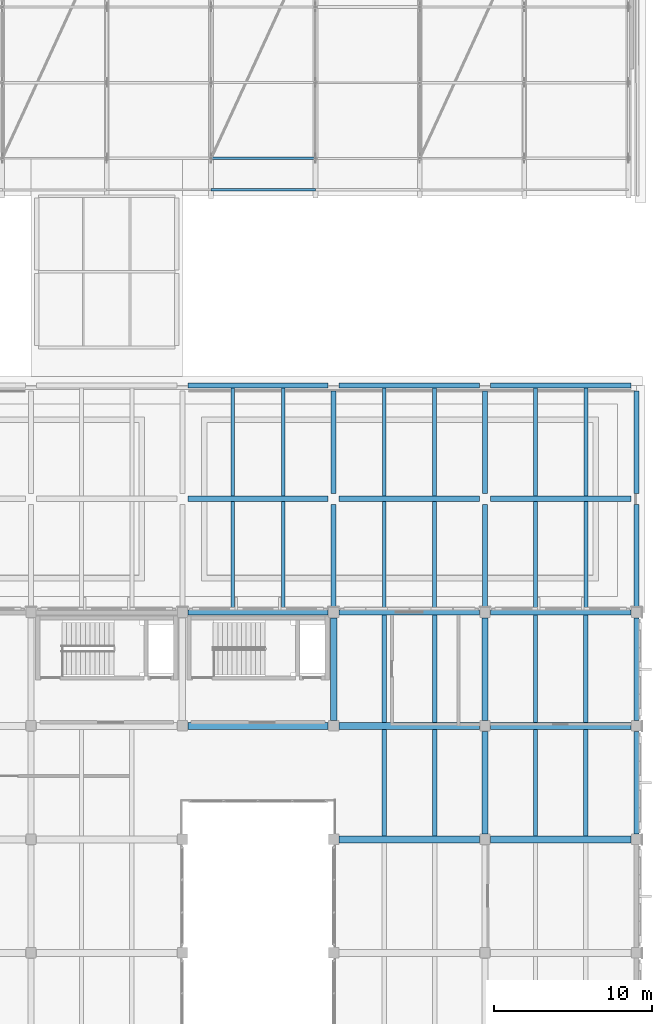
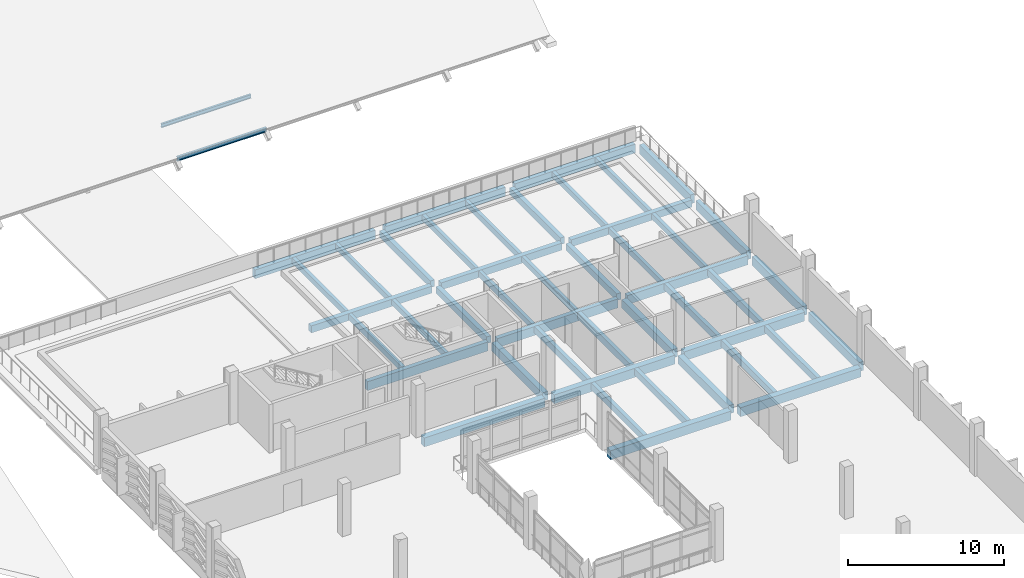
# One storey, part 71 of 134: 45 beams, 2 members.
"""IFC4 building model written with IfcOpenShell, lengths in metres."""

from ifc_helpers import new_model, si_unit, direction, frame, origin, origin_2d, place, context, subcontext, project, spatial, rectangle, i_section, extrude, material, material_profile, profile_set, type_object, element, save


model = new_model("IFC4")

# Units and contexts
model_context = context("Model", 3, precision=1e-05, world=origin(), true_north=direction((0.0, 1.0)))
body_context = subcontext(model_context, "Body", "Model", "MODEL_VIEW")
ifc_project = project(units=[si_unit("LENGTHUNIT", "METRE"), si_unit("AREAUNIT", "SQUARE_METRE"), si_unit("VOLUMEUNIT", "CUBIC_METRE"), si_unit("PLANEANGLEUNIT", "RADIAN"), si_unit("MASSUNIT", "GRAM", prefix="KILO")], contexts=[model_context])

# Site, building, storey
site_placement = place(None, origin())
site = spatial("IfcSite", under=ifc_project, at=site_placement, CompositionType="ELEMENT")
building_placement = place(site_placement, origin())
building = spatial("IfcBuilding", under=site, at=building_placement, Name="Asteropetra Specialist Clinic", CompositionType="ELEMENT")
storey_placement = place(building_placement, frame((0.0, 0.0, 8.5)))
storey = spatial("IfcBuildingStorey", under=building, at=storey_placement, Name="L02", CompositionType="ELEMENT", Elevation=8.5)

# Beams
ifc_material_1 = material(Name="Concrete C35/45", Category="concrete")
ifc_material_profile_1 = material_profile(ifc_material_1, rectangle(XDim=0.320068359375, YDim=0.52001953125, at=origin_2d()), Name="RCB 320x520")
ifc_profile_set_1 = profile_set([ifc_material_profile_1], Name="Concrete C35/45")
beam_type_1 = type_object("IfcBeamType", Name="BM-RC320x520", PredefinedType="BEAM", material=ifc_profile_set_1)
for number, where, z_axis, x_axis, name in (
    (1, (134.39990234375, 48.35009765625, -0.570068359375), (0.0, 1.0, 0.0), (-1.0, 0.0, 0.0), "Beam BBM11-1024"),
    (2, (144.0, 48.35009765625, -0.570068359375), (0.0, 1.0, 0.0), (-1.0, 0.0, 0.0), "Beam BBM11-1025"),
    (3, (134.39990234375, 55.550048828125, -0.570068359375), (0.0, 1.0, 0.0), (-1.0, 0.0, 0.0), "Beam BBM11-1040"),
    (4, (144.0, 55.550048828125, -0.570068359375), (0.0, 1.0, 0.0), (-1.0, 0.0, 0.0), "Beam BBM11-1041"),
):
    element("IfcBeam", number, at=place(storey_placement, frame(where, z_axis=z_axis, x_axis=x_axis)), inside=storey, type_object=beam_type_1, Name=name, PredefinedType="BEAM", context=body_context, shape_type="SweptSolid", body=[
        extrude(rectangle(XDim=0.320068359375, YDim=0.52001953125, at=origin_2d()), origin(), (0.0, 0.0, 1.0), 6.5),
    ])
ifc_material_2 = material(Name="Concrete C35/45", Category="concrete")
ifc_material_profile_2 = material_profile(ifc_material_2, rectangle(XDim=0.35009765625, YDim=0.550048828125, at=origin_2d()), Name="RCB 350x550")
ifc_profile_set_2 = profile_set([ifc_material_profile_2], Name="Concrete C35/45")
beam_type_2 = type_object("IfcBeamType", Name="BM-RC350x550", PredefinedType="BEAM", material=ifc_profile_set_2)
beam_1_placement = place(storey_placement, frame((125.14990234375, 55.199951171875, -0.5849609375), z_axis=(1.0, 0.0, 0.0), x_axis=(0.0, 1.0, 0.0)))
element("IfcBeam", 5, at=beam_1_placement, inside=storey, type_object=beam_type_2, Name="Beam BBM10-1013", PredefinedType="BEAM", context=body_context, shape_type="SweptSolid", body=[
    extrude(rectangle(XDim=0.35009765625, YDim=0.550048828125, at=origin_2d()), origin(), (0.0, 0.0, 1.0), 8.900146484375),
])
for number, where, z_axis, x_axis, name in (
    (6, (134.75, 55.199951171875, -0.5849609375), (1.0, 0.0, 0.0), (0.0, 1.0, 0.0), "Beam BBM10-1014"),
    (7, (144.35009765625, 55.199951171875, -0.5849609375), (1.0, 0.0, 0.0), (0.0, 1.0, 0.0), "Beam BBM10-1015"),
):
    element("IfcBeam", number, at=place(storey_placement, frame(where, z_axis=z_axis, x_axis=x_axis)), inside=storey, type_object=beam_type_2, Name=name, PredefinedType="BEAM", context=body_context, shape_type="SweptSolid", body=[
        extrude(rectangle(XDim=0.35009765625, YDim=0.550048828125, at=origin_2d()), origin(), (0.0, 0.0, 1.0), 8.89990234375),
    ])
ifc_material_3 = material(Name="Concrete C35/45", Category="concrete")
ifc_material_profile_3 = material_profile(ifc_material_3, rectangle(XDim=0.39990234375, YDim=0.64990234375, at=origin_2d()), Name="RCB 400x650")
ifc_profile_set_3 = profile_set([ifc_material_profile_3], Name="Concrete C35/45")
beam_type_3 = type_object("IfcBeamType", Name="BM-RC400x650", PredefinedType="BEAM", material=ifc_profile_set_3)
for number, where, z_axis, x_axis, name in (
    (8, (144.0, 33.949951171875, -0.625), (0.0, 1.0, 0.0), (-1.0, 0.0, 0.0), "Beam BBM07-1219"),
    (9, (134.39990234375, 41.14990234375, -0.625), (0.0, 1.0, 0.0), (-1.0, 0.0, 0.0), "Beam BBM07-1232"),
    (10, (144.0, 41.14990234375, -0.625), (0.0, 1.0, 0.0), (-1.0, 0.0, 0.0), "Beam BBM07-1233"),
):
    element("IfcBeam", number, at=place(storey_placement, frame(where, z_axis=z_axis, x_axis=x_axis)), inside=storey, type_object=beam_type_3, Name=name, PredefinedType="BEAM", context=body_context, shape_type="SweptSolid", body=[
        extrude(rectangle(XDim=0.39990234375, YDim=0.64990234375, at=origin_2d()), origin(), (0.0, 0.0, 1.0), 6.5),
    ])
ifc_material_4 = material(Name="Concrete C35/45", Category="concrete")
ifc_material_profile_4 = material_profile(ifc_material_4, rectangle(XDim=0.449951171875, YDim=0.699951171875, at=origin_2d()), Name="RCB 450x700")
ifc_profile_set_4 = profile_set([ifc_material_profile_4], Name="Concrete C35/45")
beam_type_4 = type_object("IfcBeamType", Name="BM-RC450x700", PredefinedType="BEAM", material=ifc_profile_set_4)
for number, where, z_axis, x_axis, name in (
    (11, (134.75, 33.60009765625, -0.64990234375), (1.0, 0.0, 0.0), (0.0, 1.0, 0.0), "Beam BBM05-1142"),
    (12, (144.35009765625, 33.60009765625, -0.64990234375), (1.0, 0.0, 0.0), (0.0, 1.0, 0.0), "Beam BBM05-1143"),
):
    element("IfcBeam", number, at=place(storey_placement, frame(where, z_axis=z_axis, x_axis=x_axis)), inside=storey, type_object=beam_type_4, Name=name, PredefinedType="BEAM", context=body_context, shape_type="SweptSolid", body=[
        extrude(rectangle(XDim=0.449951171875, YDim=0.699951171875, at=origin_2d()), origin(), (0.0, 0.0, 1.0), 8.89990234375),
    ])
beam_2_placement = place(storey_placement, frame((125.14990234375, 40.800048828125, -0.64990234375), z_axis=(1.0, 0.0, 0.0), x_axis=(0.0, 1.0, 0.0)))
element("IfcBeam", 13, at=beam_2_placement, inside=storey, type_object=beam_type_4, Name="Beam BBM05-1146", PredefinedType="BEAM", context=body_context, shape_type="SweptSolid", body=[
    extrude(rectangle(XDim=0.449951171875, YDim=0.699951171875, at=origin_2d()), origin(), (0.0, 0.0, 1.0), 8.900146484375),
])
for number, where, z_axis, x_axis, name in (
    (14, (134.75, 40.800048828125, -0.64990234375), (1.0, 0.0, 0.0), (0.0, 1.0, 0.0), "Beam BBM05-1147"),
    (15, (144.35009765625, 40.800048828125, -0.64990234375), (1.0, 0.0, 0.0), (0.0, 1.0, 0.0), "Beam BBM05-1148"),
):
    element("IfcBeam", number, at=place(storey_placement, frame(where, z_axis=z_axis, x_axis=x_axis)), inside=storey, type_object=beam_type_4, Name=name, PredefinedType="BEAM", context=body_context, shape_type="SweptSolid", body=[
        extrude(rectangle(XDim=0.449951171875, YDim=0.699951171875, at=origin_2d()), origin(), (0.0, 0.0, 1.0), 8.89990234375),
    ])
ifc_material_5 = material(Name="Concrete C35/45", Category="concrete")
ifc_material_profile_5 = material_profile(ifc_material_5, rectangle(XDim=0.239990234375, YDim=0.449951171875, at=origin_2d()), Name="RCJ 240x450")
ifc_profile_set_5 = profile_set([ifc_material_profile_5], Name="Concrete C35/45")
beam_type_5 = type_object("IfcBeamType", Name="JST-RC240x450", PredefinedType="JOIST", material=ifc_profile_set_5)
for number, where, z_axis, x_axis, name in (
    (16, (128.0, 48.159912109375, -0.534912109375), (0.0, 1.0, 0.0), (-1.0, 0.0, 0.0), "Joist JJST03-1031"),
    (17, (131.199951171875, 48.159912109375, -0.534912109375), (0.0, 1.0, 0.0), (-1.0, 0.0, 0.0), "Joist JJST03-1032"),
    (18, (137.60009765625, 48.159912109375, -0.534912109375), (0.0, 1.0, 0.0), (-1.0, 0.0, 0.0), "Joist JJST03-1033"),
    (19, (140.800048828125, 48.159912109375, -0.534912109375), (0.0, 1.0, 0.0), (-1.0, 0.0, 0.0), "Joist JJST03-1034"),
    (20, (147.199951171875, 48.159912109375, -0.534912109375), (0.0, 1.0, 0.0), (-1.0, 0.0, 0.0), "Joist JJST03-1035"),
    (21, (150.39990234375, 48.159912109375, -0.534912109375), (0.0, 1.0, 0.0), (-1.0, 0.0, 0.0), "Joist JJST03-1036"),
    (22, (128.0, 55.375, -0.534912109375), (0.0, 1.0, 0.0), (-1.0, 0.0, 0.0), "Joist JJST03-1047"),
    (23, (131.199951171875, 55.375, -0.534912109375), (0.0, 1.0, 0.0), (-1.0, 0.0, 0.0), "Joist JJST03-1048"),
    (24, (137.60009765625, 55.375, -0.534912109375), (0.0, 1.0, 0.0), (-1.0, 0.0, 0.0), "Joist JJST03-1049"),
    (25, (140.800048828125, 55.375, -0.534912109375), (0.0, 1.0, 0.0), (-1.0, 0.0, 0.0), "Joist JJST03-1050"),
    (26, (147.199951171875, 55.375, -0.534912109375), (0.0, 1.0, 0.0), (-1.0, 0.0, 0.0), "Joist JJST03-1051"),
    (27, (150.39990234375, 55.375, -0.534912109375), (0.0, 1.0, 0.0), (-1.0, 0.0, 0.0), "Joist JJST03-1052"),
):
    element("IfcBeam", number, at=place(storey_placement, frame(where, z_axis=z_axis, x_axis=x_axis)), inside=storey, type_object=beam_type_5, Name=name, PredefinedType="JOIST", context=body_context, shape_type="SweptSolid", body=[
        extrude(rectangle(XDim=0.239990234375, YDim=0.449951171875, at=origin_2d()), origin(), (0.0, 0.0, 1.0), 6.864990234375),
    ])
ifc_material_6 = material(Name="Concrete C35/45", Category="concrete")
ifc_material_profile_6 = material_profile(ifc_material_6, rectangle(XDim=0.280029296875, YDim=0.52001953125, at=origin_2d()), Name="RCJ 280x520")
ifc_profile_set_6 = profile_set([ifc_material_profile_6], Name="Concrete C35/45")
beam_type_6 = type_object("IfcBeamType", Name="JST-RC280x520", PredefinedType="JOIST", material=ifc_profile_set_6)
for number, where, z_axis, x_axis, name in (
    (28, (137.60009765625, 33.824951171875, -0.56005859375), (0.0, 1.0, 0.0), (-1.0, 0.0, 0.0), "Joist JJST01-1225"),
    (29, (140.800048828125, 33.824951171875, -0.56005859375), (0.0, 1.0, 0.0), (-1.0, 0.0, 0.0), "Joist JJST01-1226"),
    (30, (147.199951171875, 33.824951171875, -0.56005859375), (0.0, 1.0, 0.0), (-1.0, 0.0, 0.0), "Joist JJST01-1227"),
    (31, (150.39990234375, 33.824951171875, -0.56005859375), (0.0, 1.0, 0.0), (-1.0, 0.0, 0.0), "Joist JJST01-1228"),
):
    element("IfcBeam", number, at=place(storey_placement, frame(where, z_axis=z_axis, x_axis=x_axis)), inside=storey, type_object=beam_type_6, Name=name, PredefinedType="JOIST", context=body_context, shape_type="SweptSolid", body=[
        extrude(rectangle(XDim=0.280029296875, YDim=0.52001953125, at=origin_2d()), origin(), (0.0, 0.0, 1.0), 6.75),
    ])
for number, where, z_axis, x_axis, name in (
    (32, (137.60009765625, 41.02490234375, -0.56005859375), (0.0, 1.0, 0.0), (-1.0, 0.0, 0.0), "Joist JJST01-1237"),
    (33, (140.800048828125, 41.02490234375, -0.56005859375), (0.0, 1.0, 0.0), (-1.0, 0.0, 0.0), "Joist JJST01-1238"),
    (34, (147.199951171875, 41.02490234375, -0.56005859375), (0.0, 1.0, 0.0), (-1.0, 0.0, 0.0), "Joist JJST01-1239"),
    (35, (150.39990234375, 41.02490234375, -0.56005859375), (0.0, 1.0, 0.0), (-1.0, 0.0, 0.0), "Joist JJST01-1240"),
):
    element("IfcBeam", number, at=place(storey_placement, frame(where, z_axis=z_axis, x_axis=x_axis)), inside=storey, type_object=beam_type_6, Name=name, PredefinedType="JOIST", context=body_context, shape_type="SweptSolid", body=[
        extrude(rectangle(XDim=0.280029296875, YDim=0.52001953125, at=origin_2d()), origin(), (0.0, 0.0, 1.0), 6.815185546875),
    ])
ifc_material_7 = material(Name="Concrete C35/45", Category="concrete")
ifc_material_profile_7 = material_profile(ifc_material_7, rectangle(XDim=0.320068359375, YDim=0.699951171875, at=origin_2d()), Name="RCS 320x700")
ifc_profile_set_7 = profile_set([ifc_material_profile_7], Name="Concrete C35/45")
beam_type_7 = type_object("IfcBeamType", Name="SPN-RC320x700", PredefinedType="SPANDREL", material=ifc_profile_set_7)
beam_3_placement = place(storey_placement, frame((125.14990234375, 48.0, -0.659912109375), z_axis=(1.0, 0.0, 0.0), x_axis=(0.0, 1.0, 0.0)))
element("IfcBeam", 36, at=beam_3_placement, inside=storey, type_object=beam_type_7, Name="Beam BSPN02-1008", PredefinedType="SPANDREL", context=body_context, shape_type="SweptSolid", body=[
    extrude(rectangle(XDim=0.320068359375, YDim=0.699951171875, at=origin_2d()), origin(), (0.0, 0.0, 1.0), 8.900146484375),
])
for number, where, z_axis, x_axis, name in (
    (37, (134.75, 48.0, -0.659912109375), (1.0, 0.0, 0.0), (0.0, 1.0, 0.0), "Beam BSPN02-1009"),
    (38, (144.35009765625, 48.0, -0.659912109375), (1.0, 0.0, 0.0), (0.0, 1.0, 0.0), "Beam BSPN02-1010"),
):
    element("IfcBeam", number, at=place(storey_placement, frame(where, z_axis=z_axis, x_axis=x_axis)), inside=storey, type_object=beam_type_7, Name=name, PredefinedType="SPANDREL", context=body_context, shape_type="SweptSolid", body=[
        extrude(rectangle(XDim=0.320068359375, YDim=0.699951171875, at=origin_2d()), origin(), (0.0, 0.0, 1.0), 8.89990234375),
    ])
beam_4_placement = place(storey_placement, frame((125.14990234375, 62.39990234375, -0.659912109375), z_axis=(1.0, 0.0, 0.0), x_axis=(0.0, 1.0, 0.0)))
element("IfcBeam", 39, at=beam_4_placement, inside=storey, type_object=beam_type_7, Name="Beam BSPN02-1018", PredefinedType="SPANDREL", context=body_context, shape_type="SweptSolid", body=[
    extrude(rectangle(XDim=0.320068359375, YDim=0.699951171875, at=origin_2d()), origin(), (0.0, 0.0, 1.0), 8.900146484375),
])
for number, where, z_axis, x_axis, name in (
    (40, (134.75, 62.39990234375, -0.659912109375), (1.0, 0.0, 0.0), (0.0, 1.0, 0.0), "Beam BSPN02-1019"),
    (41, (144.35009765625, 62.39990234375, -0.659912109375), (1.0, 0.0, 0.0), (0.0, 1.0, 0.0), "Beam BSPN02-1020"),
):
    element("IfcBeam", number, at=place(storey_placement, frame(where, z_axis=z_axis, x_axis=x_axis)), inside=storey, type_object=beam_type_7, Name=name, PredefinedType="SPANDREL", context=body_context, shape_type="SweptSolid", body=[
        extrude(rectangle(XDim=0.320068359375, YDim=0.699951171875, at=origin_2d()), origin(), (0.0, 0.0, 1.0), 8.89990234375),
    ])
for number, where, z_axis, x_axis, name in (
    (42, (153.60009765625, 48.35009765625, -0.659912109375), (0.0, 1.0, 0.0), (-1.0, 0.0, 0.0), "Beam BSPN02-1026"),
    (43, (153.60009765625, 55.550048828125, -0.659912109375), (0.0, 1.0, 0.0), (-1.0, 0.0, 0.0), "Beam BSPN02-1042"),
    (44, (153.60009765625, 33.949951171875, -0.64990234375), (0.0, 1.0, 0.0), (-1.0, 0.0, 0.0), "Beam BSPN02-1220"),
    (45, (153.60009765625, 41.14990234375, -0.64990234375), (0.0, 1.0, 0.0), (-1.0, 0.0, 0.0), "Beam BSPN02-1234"),
):
    element("IfcBeam", number, at=place(storey_placement, frame(where, z_axis=z_axis, x_axis=x_axis)), inside=storey, type_object=beam_type_7, Name=name, PredefinedType="SPANDREL", context=body_context, shape_type="SweptSolid", body=[
        extrude(rectangle(XDim=0.320068359375, YDim=0.699951171875, at=origin_2d()), origin(), (0.0, 0.0, 1.0), 6.5),
    ])

# Members
ifc_material_8 = material(Name="Steel S355", Category="steel")
ifc_material_profile_8 = material_profile(ifc_material_8, i_section(OverallWidth=0.14990234375, OverallDepth=0.300048828125, WebThickness=0.007080078125, FlangeThickness=0.0107421875, FilletRadius=0.014892578125, at=origin_2d()), Name="IPE 300")
ifc_profile_set_8 = profile_set([ifc_material_profile_8], Name="Steel S355")
member_type_1 = type_object("IfcMemberType", Name="TR-PUR-IPE300", PredefinedType="PURLIN", material=ifc_profile_set_8)
member_1_placement = place(storey_placement, frame((126.6201171875, 76.800048828125, 1.631591796875), z_axis=(1.0, 0.0, 0.0), x_axis=(0.0, 1.0, 0.0)))
element("IfcMember", 46, at=member_1_placement, inside=storey, type_object=member_type_1, Name="Roof Purlin TRV1-P07-02", PredefinedType="PURLIN", context=body_context, shape_type="SweptSolid", body=[
    extrude(i_section(OverallWidth=0.14990234375, OverallDepth=0.300048828125, WebThickness=0.007080078125, FlangeThickness=0.0107421875, FilletRadius=0.014892578125, at=origin_2d()), origin(), (0.0, 0.0, 1.0), 6.619873046875),
])
ifc_material_9 = material(Name="Steel S355", Category="steel")
ifc_material_profile_9 = material_profile(ifc_material_9, i_section(OverallWidth=0.159912109375, OverallDepth=0.330078125, WebThickness=0.007568359375, FlangeThickness=0.011474609375, FilletRadius=0.01806640625, at=origin_2d()), Name="IPE 330")
ifc_profile_set_9 = profile_set([ifc_material_profile_9], Name="Steel S355")
member_type_2 = type_object("IfcMemberType", Name="TR-PUR-IPE330", PredefinedType="PURLIN", material=ifc_profile_set_9)
member_2_placement = place(storey_placement, frame((126.6201171875, 74.800048828125, 0.241943359375), z_axis=(1.0, 0.0, 0.0), x_axis=(0.0, 1.0, 0.0)))
element("IfcMember", 47, at=member_2_placement, inside=storey, type_object=member_type_2, Name="Roof Purlin TRV1-P07-01", PredefinedType="PURLIN", context=body_context, shape_type="SweptSolid", body=[
    extrude(i_section(OverallWidth=0.159912109375, OverallDepth=0.330078125, WebThickness=0.007568359375, FlangeThickness=0.011474609375, FilletRadius=0.01806640625, at=origin_2d()), origin(), (0.0, 0.0, 1.0), 6.619873046875),
])

save(model, "model.ifc")
